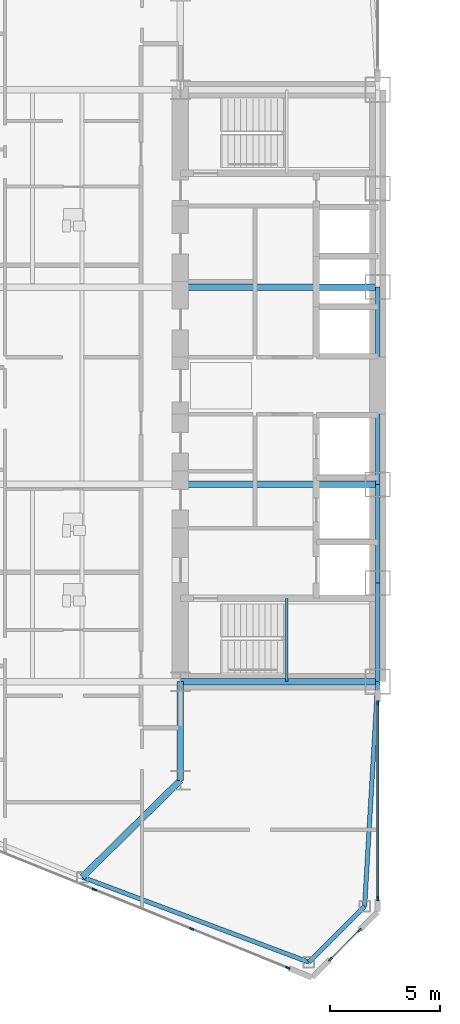
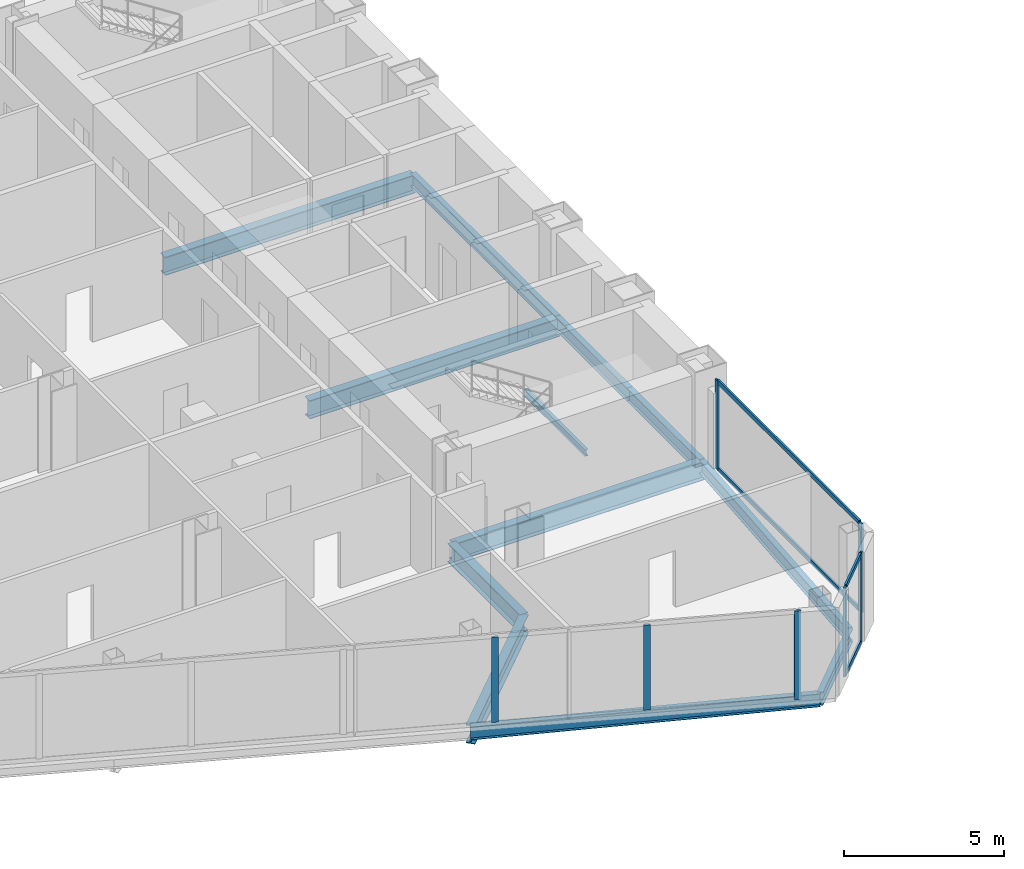
# One storey, part 5 of 25: 12 beams, 11 members, 3 elements without a shape of their own.
"""IFC4 building model written with IfcOpenShell, lengths in metres."""

from ifc_helpers import new_model, si_unit, direction, frame, origin, origin_2d, place, context, subcontext, project, spatial, rectangle, i_section, extrude, source, transform, mapped, material, layer, layer_set, material_profile, profile_set, type_object, type_shapes, element, aggregate, save


model = new_model("IFC4")

# Units and contexts
model_context = context("Model", 3, precision=1e-05, world=origin(), true_north=direction((0.0, 1.0)))
body_context = subcontext(model_context, "Body", "Model", "MODEL_VIEW")
ifc_project = project(units=[si_unit("LENGTHUNIT", "METRE"), si_unit("AREAUNIT", "SQUARE_METRE"), si_unit("VOLUMEUNIT", "CUBIC_METRE"), si_unit("PLANEANGLEUNIT", "RADIAN"), si_unit("MASSUNIT", "GRAM", prefix="KILO")], contexts=[model_context])

# Site, building, storey
site_placement = place(None, origin())
site = spatial("IfcSite", under=ifc_project, at=site_placement, CompositionType="ELEMENT")
building_placement = place(site_placement, origin())
building = spatial("IfcBuilding", under=site, at=building_placement, Name="Seokmaru Belvedere", CompositionType="ELEMENT")
storey_placement = place(building_placement, frame((0.0, 0.0, 51.300048828125)))
storey = spatial("IfcBuildingStorey", under=building, at=storey_placement, Name="L13", CompositionType="ELEMENT", Elevation=51.300048828125)

# Beams
ifc_material_1 = material(Name="Steel SM355 (355 MPa)", Category="steel")
ifc_material_profile_1 = material_profile(ifc_material_1, i_section(OverallWidth=0.199951171875, OverallDepth=0.5, WebThickness=0.010009765625, FlangeThickness=0.01611328125, at=origin_2d()), Name="H-500x200x10x16")
ifc_profile_set_1 = profile_set([ifc_material_profile_1], Name="Steel SM355 (355 MPa)")
beam_type_1 = type_object("IfcBeamType", Name="Perimeter Spandrel Beam H-500", PredefinedType="SPANDREL", material=ifc_profile_set_1)
shared_shape_1 = source(origin(), body_context, "Body", "SweptSolid", [
    extrude(i_section(OverallWidth=0.199951171875, OverallDepth=0.5, WebThickness=0.010009765625, FlangeThickness=0.01611328125, at=origin_2d()), origin(), (0.0, 0.0, 1.0), 4.5),
])
for number, where, z_axis, x_axis, name in (
    (1, (-27.5, -13.5, -0.469970703125), (0.0, 1.0, 0.0), (-1.0, 0.0, 0.0), "L13 W Portal Spine Spandrel 1"),
    (2, (-27.5, -9.0, -0.469970703125), (0.0, 1.0, 0.0), (-1.0, 0.0, 0.0), "L13 W Portal Spine Spandrel 2"),
):
    element("IfcBeam", number, at=place(storey_placement, frame(where, z_axis=z_axis, x_axis=x_axis)), inside=storey, type_object=beam_type_1, Name=name, PredefinedType="SPANDREL", context=body_context, shape_type="MappedRepresentation", body=[
        mapped(shared_shape_1, transform((0.0, 0.0, 0.0), scale=1.0)),
    ])
shared_shape_2 = source(origin(), body_context, "Body", "SweptSolid", [
    extrude(i_section(OverallWidth=0.199951171875, OverallDepth=0.5, WebThickness=0.010009765625, FlangeThickness=0.01611328125, at=origin_2d()), origin(), (0.0, 0.0, 1.0), 9.0),
])
beam_1_placement = place(storey_placement, frame((-27.5, -4.5, -0.469970703125), z_axis=(0.0, 1.0, 0.0), x_axis=(-1.0, 0.0, 0.0)))
element("IfcBeam", 3, at=beam_1_placement, inside=storey, type_object=beam_type_1, Name="L13 W Portal Spine Spandrel 3", PredefinedType="SPANDREL", context=body_context, shape_type="MappedRepresentation", body=[
    mapped(shared_shape_2, transform((0.0, 0.0, 0.0), scale=1.0)),
])
ifc_material_profile_2 = material_profile(ifc_material_1, i_section(OverallWidth=0.300048828125, OverallDepth=0.699951171875, WebThickness=0.012939453125, FlangeThickness=0.02392578125, at=origin_2d()), Name="H-700x300x13x24")
ifc_profile_set_2 = profile_set([ifc_material_profile_2], Name="Steel SM355 (355 MPa)")
beam_type_2 = type_object("IfcBeamType", Name="Primary Floor Girder H-700", PredefinedType="BEAM", material=ifc_profile_set_2)
shared_shape_3 = source(origin(), body_context, "Body", "SweptSolid", [
    extrude(i_section(OverallWidth=0.300048828125, OverallDepth=0.699951171875, WebThickness=0.012939453125, FlangeThickness=0.02392578125, at=origin_2d()), origin(), (0.0, 0.0, 1.0), 4.5),
])
beam_2_placement = place(storey_placement, frame((-36.5, -18.0, -0.570068359375), z_axis=(0.0, 1.0, 0.0), x_axis=(-1.0, 0.0, 0.0)))
element("IfcBeam", 4, at=beam_2_placement, inside=storey, type_object=beam_type_2, Name="L13 W Core Shoulder Girder S", PredefinedType="BEAM", context=body_context, shape_type="MappedRepresentation", body=[
    mapped(shared_shape_3, transform((0.0, 0.0, 0.0), scale=1.0)),
])
shared_shape_4 = source(origin(), body_context, "Body", "SweptSolid", [
    extrude(i_section(OverallWidth=0.300048828125, OverallDepth=0.699951171875, WebThickness=0.012939453125, FlangeThickness=0.02392578125, at=origin_2d()), origin(), (0.0, 0.0, 1.0), 9.0),
])
for number, where, z_axis, x_axis, name in (
    (5, (-36.5, -13.5, -0.570068359375), (1.0, 0.0, 0.0), (0.0, 1.0, 0.0), "L13 W Core Tie Girder 1"),
    (6, (-36.5, -4.5, -0.570068359375), (1.0, 0.0, 0.0), (0.0, 1.0, 0.0), "L13 W Core Tie Girder 2"),
    (7, (-36.5, 4.5, -0.570068359375), (1.0, 0.0, 0.0), (0.0, 1.0, 0.0), "L13 W Core Tie Girder 3"),
):
    element("IfcBeam", number, at=place(storey_placement, frame(where, z_axis=z_axis, x_axis=x_axis)), inside=storey, type_object=beam_type_2, Name=name, PredefinedType="BEAM", context=body_context, shape_type="MappedRepresentation", body=[
        mapped(shared_shape_4, transform((0.0, 0.0, 0.0), scale=1.0)),
    ])
shared_shape_5 = source(origin(), body_context, "Body", "SweptSolid", [
    extrude(i_section(OverallWidth=0.199951171875, OverallDepth=0.5, WebThickness=0.010009765625, FlangeThickness=0.01611328125, at=origin_2d()), origin(), (0.0, 0.0, 1.0), 11.03857421875),
])
beam_3_placement = place(storey_placement, frame((-30.643310546875, -26.294677734375, -0.469970703125), z_axis=(-0.936169110734, 0.351549990907, 0.0), x_axis=(-0.351549990907, -0.936169110734, 0.0)))
element("IfcBeam", 8, at=beam_3_placement, inside=storey, type_object=beam_type_1, Name="L13 W Faceted Flank Spandrel S-1", PredefinedType="SPANDREL", context=body_context, shape_type="MappedRepresentation", body=[
    mapped(shared_shape_5, transform((0.0, 0.0, 0.0), scale=1.0)),
])
shared_shape_6 = source(origin(), body_context, "Body", "SweptSolid", [
    extrude(i_section(OverallWidth=0.199951171875, OverallDepth=0.5, WebThickness=0.010009765625, FlangeThickness=0.01611328125, at=origin_2d()), origin(), (0.0, 0.0, 1.0), 3.5966796875),
])
beam_4_placement = place(storey_placement, frame((-30.643310546875, -26.294677734375, -0.469970703125), z_axis=(0.707106781187, 0.707106781187, 0.0), x_axis=(-0.707106781187, 0.707106781187, 0.0)))
element("IfcBeam", 9, at=beam_4_placement, inside=storey, type_object=beam_type_1, Name="L13 W Shoulder Chamfer Spandrel S", PredefinedType="SPANDREL", context=body_context, shape_type="MappedRepresentation", body=[
    mapped(shared_shape_6, transform((0.0, 0.0, 0.0), scale=1.0)),
])
shared_shape_7 = source(origin(), body_context, "Body", "SweptSolid", [
    extrude(i_section(OverallWidth=0.199951171875, OverallDepth=0.5, WebThickness=0.010009765625, FlangeThickness=0.01611328125, at=origin_2d()), origin(), (0.0, 0.0, 1.0), 10.26904296875),
])
type_shapes(beam_type_1, [shared_shape_1, shared_shape_2, shared_shape_5, shared_shape_6, shared_shape_7])
beam_5_placement = place(storey_placement, frame((-28.10009765625, -23.75146484375, -0.469970703125), z_axis=(0.058437709399, 0.998291056817, 0.0), x_axis=(-0.998291056817, 0.058437709399, 0.0)))
element("IfcBeam", 10, at=beam_5_placement, inside=storey, type_object=beam_type_1, Name="L13 W Shoulder Spine Spandrel S", PredefinedType="SPANDREL", context=body_context, shape_type="MappedRepresentation", body=[
    mapped(shared_shape_7, transform((0.0, 0.0, 0.0), scale=1.0)),
])
shared_shape_8 = source(origin(), body_context, "Body", "SweptSolid", [
    extrude(i_section(OverallWidth=0.300048828125, OverallDepth=0.699951171875, WebThickness=0.012939453125, FlangeThickness=0.02392578125, at=origin_2d()), origin(), (0.0, 0.0, 1.0), 6.287353515625),
])
type_shapes(beam_type_2, [shared_shape_3, shared_shape_4, shared_shape_8])
beam_6_placement = place(storey_placement, frame((-40.977294921875, -22.4140625, -0.570068359375), z_axis=(0.712117485263, 0.702060315915, 0.0), x_axis=(-0.702060315915, 0.712117485263, 0.0)))
element("IfcBeam", 11, at=beam_6_placement, inside=storey, type_object=beam_type_2, Name="L13 W Flank Radial Floor Girder S-1", PredefinedType="BEAM", context=body_context, shape_type="MappedRepresentation", body=[
    mapped(shared_shape_8, transform((0.0, 0.0, 0.0), scale=1.0)),
])

# Curtain wall, members
ifc_material_2 = material(Name="Bronze Triple Insulating Glass", Category="glass")
ifc_layer = layer(ifc_material_2, 0.2099609375)
ifc_layer_set = layer_set([ifc_layer], Name="Bronze Triple Insulating Glass")
curtain_wall_type = type_object("IfcCurtainWallType", Name="Low-Rise Faceted Crystal Curtain Wall System CW-2", PredefinedType="NOTDEFINED", material=ifc_layer_set)
curtain_wall_1_placement = place(storey_placement, origin())
curtain_wall_1 = element("IfcCurtainWall", 12, at=curtain_wall_1_placement, inside=storey, type_object=curtain_wall_type, Name="L13 Curtain Wall WSP_1", PredefinedType="NOTDEFINED")
ifc_material_3 = material(Name="Anodised Bronze Aluminium", Category="aluminium")
ifc_material_profile_3 = material_profile(ifc_material_3, rectangle(XDim=0.070068359375, YDim=0.1650390625, at=origin_2d()), Name="CW-T-70x165")
ifc_profile_set_3 = profile_set([ifc_material_profile_3], Name="Anodised Bronze Aluminium")
member_type_1 = type_object("IfcMemberType", Name="Bronze Unitised Transom 70x165", PredefinedType="USERDEFINED", material=ifc_profile_set_3)
shared_shape_9 = source(origin(), body_context, "Body", "SweptSolid", [
    extrude(rectangle(XDim=0.070068359375, YDim=0.1650390625, at=origin_2d()), origin(), (0.0, 0.0, 1.0), 8.85009765625),
])
member_1_placement = place(storey_placement, frame((-27.5, -23.35498046875, 0.034912109375), z_axis=(0.0, 1.0, 0.0), x_axis=(-1.0, 0.0, 0.0)))
member_1 = element("IfcMember", 13, at=member_1_placement, type_object=member_type_1, Name="CW:L13:WSP_1 Continuous Transom 1", ObjectType="TRANSOM", PredefinedType="USERDEFINED", context=body_context, shape_type="MappedRepresentation", body=[
    mapped(shared_shape_9, transform((0.0, 0.0, 0.0), scale=1.0)),
])
member_2_placement = place(storey_placement, frame((-27.5, -23.35498046875, 3.344970703125), z_axis=(0.0, 1.0, 0.0), x_axis=(-1.0, 0.0, 0.0)))
member_2 = element("IfcMember", 14, at=member_2_placement, type_object=member_type_1, Name="CW:L13:WSP_1 Continuous Transom 2", ObjectType="TRANSOM", PredefinedType="USERDEFINED", context=body_context, shape_type="MappedRepresentation", body=[
    mapped(shared_shape_9, transform((0.0, 0.0, 0.0), scale=1.0)),
])

curtain_wall_2_placement = place(storey_placement, origin())
curtain_wall_2 = element("IfcCurtainWall", 15, at=curtain_wall_2_placement, inside=storey, type_object=curtain_wall_type, Name="L13 Curtain Wall WF6", PredefinedType="NOTDEFINED")
shared_shape_10 = source(origin(), body_context, "Body", "SweptSolid", [
    extrude(rectangle(XDim=0.070068359375, YDim=0.1650390625, at=origin_2d()), origin(), (0.0, 0.0, 1.0), 1.792724609375),
])
type_shapes(member_type_1, [shared_shape_9, shared_shape_10])
member_3_placement = place(storey_placement, frame((-29.6337890625, -26.1337890625, 0.034912109375), z_axis=(0.707106781187, 0.707106781187, 0.0), x_axis=(-0.707106781187, 0.707106781187, 0.0)))
member_3 = element("IfcMember", 16, at=member_3_placement, type_object=member_type_1, Name="CW:L13:WF6 Continuous Transom 1", ObjectType="TRANSOM", PredefinedType="USERDEFINED", context=body_context, shape_type="MappedRepresentation", body=[
    mapped(shared_shape_10, transform((0.0, 0.0, 0.0), scale=1.0)),
])
member_4_placement = place(storey_placement, frame((-29.6337890625, -26.1337890625, 3.344970703125), z_axis=(0.707106781187, 0.707106781187, 0.0), x_axis=(-0.707106781187, 0.707106781187, 0.0)))
member_4 = element("IfcMember", 17, at=member_4_placement, type_object=member_type_1, Name="CW:L13:WF6 Continuous Transom 2", ObjectType="TRANSOM", PredefinedType="USERDEFINED", context=body_context, shape_type="MappedRepresentation", body=[
    mapped(shared_shape_10, transform((0.0, 0.0, 0.0), scale=1.0)),
])

curtain_wall_3_placement = place(storey_placement, origin())
curtain_wall_3 = element("IfcCurtainWall", 18, at=curtain_wall_3_placement, inside=storey, type_object=curtain_wall_type, Name="L13 Curtain Wall WF5", PredefinedType="NOTDEFINED")
ifc_material_profile_4 = material_profile(ifc_material_3, rectangle(XDim=0.074951171875, YDim=0.2099609375, at=origin_2d()), Name="CW-M-75x210")
ifc_profile_set_4 = profile_set([ifc_material_profile_4], Name="Anodised Bronze Aluminium")
member_type_2 = type_object("IfcMemberType", Name="Bronze Unitised Mullion 75x210", PredefinedType="MULLION", material=ifc_profile_set_4)
shared_shape_11 = source(origin(), body_context, "Body", "SweptSolid", [
    extrude(rectangle(XDim=0.074951171875, YDim=0.2099609375, at=origin_2d()), origin(), (0.0, 0.0, 1.0), 3.239990234375),
])
member_5_placement = place(storey_placement, frame((-40.425537109375, -22.982421875, 0.070068359375), z_axis=(0.0, 0.0, 1.0), x_axis=(0.375192321888, 0.926946989637, 0.0)))
member_5 = element("IfcMember", 19, at=member_5_placement, type_object=member_type_2, Name="CW:L13:WF5 Mullion 8", PredefinedType="MULLION", context=body_context, shape_type="MappedRepresentation", body=[
    mapped(shared_shape_11, transform((0.0, 0.0, 0.0), scale=1.0)),
])
member_6_placement = place(storey_placement, frame((-35.995849609375, -24.775390625, 0.070068359375), z_axis=(0.0, 0.0, 1.0), x_axis=(0.375192321888, 0.926946989637, 0.0)))
member_6 = element("IfcMember", 20, at=member_6_placement, type_object=member_type_2, Name="CW:L13:WF5 Mullion 9", PredefinedType="MULLION", context=body_context, shape_type="MappedRepresentation", body=[
    mapped(shared_shape_11, transform((0.0, 0.0, 0.0), scale=1.0)),
])

# Member
shared_shape_12 = source(origin(), body_context, "Body", "SweptSolid", [
    extrude(rectangle(XDim=0.074951171875, YDim=0.2099609375, at=origin_2d()), origin(), (0.0, 0.0, 1.0), 3.3798828125),
])
type_shapes(member_type_2, [shared_shape_11, shared_shape_12])
member_7_placement = place(storey_placement, frame((-27.5, -23.392578125, 0.0), z_axis=(0.0, 0.0, 1.0), x_axis=(-1.0, 0.0, 0.0)))
member_7 = element("IfcMember", 21, at=member_7_placement, type_object=member_type_2, Name="CW:L13:WSP_1 Mullion 1", PredefinedType="MULLION", context=body_context, shape_type="MappedRepresentation", body=[
    mapped(shared_shape_12, transform((0.0, 0.0, 0.0), scale=1.0)),
])

member_8_placement = place(storey_placement, frame((-27.5, -14.467529296875, 0.0), z_axis=(0.0, 0.0, 1.0), x_axis=(-1.0, 0.0, 0.0)))
member_8 = element("IfcMember", 22, at=member_8_placement, type_object=member_type_2, Name="CW:L13:WSP_1 Mullion 2", PredefinedType="MULLION", context=body_context, shape_type="MappedRepresentation", body=[
    mapped(shared_shape_12, transform((0.0, 0.0, 0.0), scale=1.0)),
])

aggregate(curtain_wall_1, [member_7, member_8, member_1, member_2])

member_9_placement = place(storey_placement, frame((-31.600830078125, -26.554443359375, 0.0), z_axis=(0.0, 0.0, 1.0), x_axis=(0.375192321888, 0.926946989637, 0.0)))
member_9 = element("IfcMember", 23, at=member_9_placement, type_object=member_type_2, Name="CW:L13:WF5 Mullion 10", PredefinedType="MULLION", context=body_context, shape_type="MappedRepresentation", body=[
    mapped(shared_shape_12, transform((0.0, 0.0, 0.0), scale=1.0)),
])

aggregate(curtain_wall_3, [member_5, member_6, member_9])

member_10_placement = place(storey_placement, frame((-29.660400390625, -26.160400390625, 0.0), z_axis=(0.0, 0.0, 1.0), x_axis=(-0.707106781187, 0.707106781187, 0.0)))
member_10 = element("IfcMember", 24, at=member_10_placement, type_object=member_type_2, Name="CW:L13:WF6 Mullion 1", PredefinedType="MULLION", context=body_context, shape_type="MappedRepresentation", body=[
    mapped(shared_shape_12, transform((0.0, 0.0, 0.0), scale=1.0)),
])

member_11_placement = place(storey_placement, frame((-28.339599609375, -24.839599609375, 0.0), z_axis=(0.0, 0.0, 1.0), x_axis=(-0.707106781187, 0.707106781187, 0.0)))
member_11 = element("IfcMember", 25, at=member_11_placement, type_object=member_type_2, Name="CW:L13:WF6 Mullion 2", PredefinedType="MULLION", context=body_context, shape_type="MappedRepresentation", body=[
    mapped(shared_shape_12, transform((0.0, 0.0, 0.0), scale=1.0)),
])

aggregate(curtain_wall_2, [member_10, member_11, member_3, member_4])

# Beam
ifc_material_profile_5 = material_profile(ifc_material_1, i_section(OverallWidth=0.125, OverallDepth=0.25, WebThickness=0.006103515625, FlangeThickness=0.009033203125, at=origin_2d()), Name="H-250x125x6x9")
ifc_profile_set_5 = profile_set([ifc_material_profile_5], Name="Steel SM355 (355 MPa)")
beam_type_3 = type_object("IfcBeamType", Name="Stair Mid-Landing Support Beam H-250", PredefinedType="JOIST", material=ifc_profile_set_5)
shared_shape_13 = source(origin(), body_context, "Body", "SweptSolid", [
    extrude(i_section(OverallWidth=0.125, OverallDepth=0.25, WebThickness=0.006103515625, FlangeThickness=0.009033203125, at=origin_2d()), origin(), (0.0, 0.0, 1.0), 3.800048828125),
])
type_shapes(beam_type_3, [shared_shape_13])
beam_7_placement = place(storey_placement, frame((-31.64990234375, -13.5, 1.474853515625), z_axis=(0.0, 1.0, 0.0), x_axis=(-1.0, 0.0, 0.0)))
element("IfcBeam", 26, at=beam_7_placement, inside=storey, type_object=beam_type_3, Name="L13 Stair ST-W1 Mid-Landing Support Beam 1", PredefinedType="JOIST", context=body_context, shape_type="MappedRepresentation", body=[
    mapped(shared_shape_13, transform((0.0, 0.0, 0.0), scale=1.0)),
])

save(model, "model.ifc")
